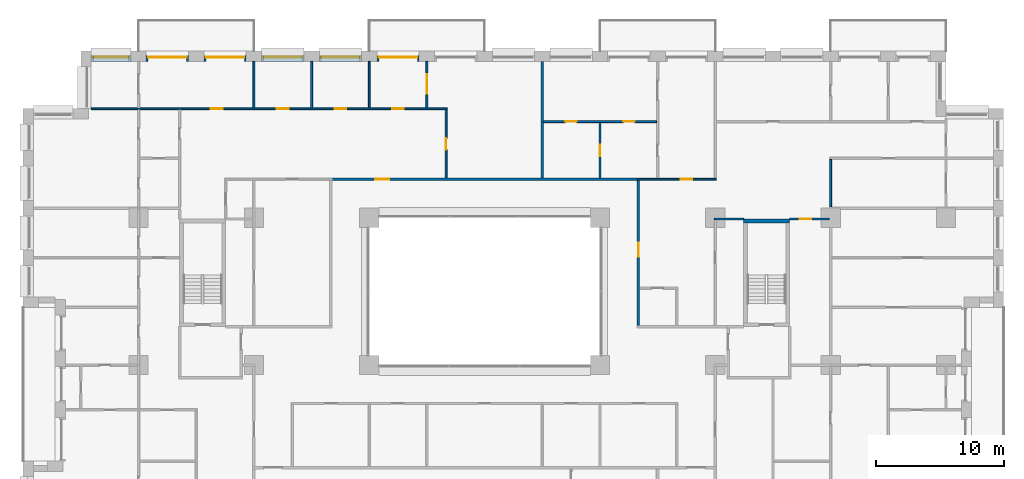
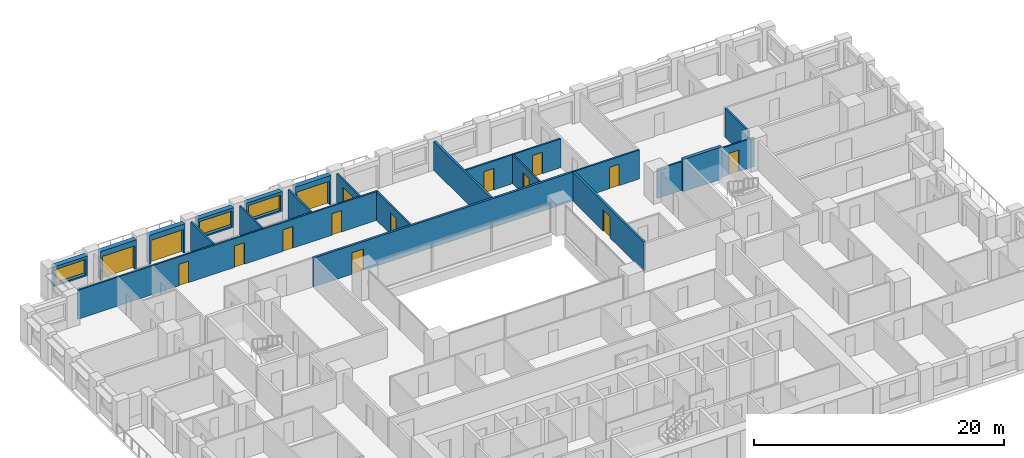
# One storey, part 15 of 20: 22 walls, 16 doors, 3 windows, 19 openings.
"""IFC4 building model written with IfcOpenShell, lengths in metres."""

from ifc_helpers import new_model, si_unit, direction, frame, frame_2d, origin, place, context, subcontext, project, spatial, rectangle, extrude, material, layer, layer_set, type_object, element, fill, save


model = new_model("IFC4")

# Units and contexts
model_context = context("Model", 3, precision=1e-05, world=origin(), true_north=direction((0.0, 1.0)))
body_context = subcontext(model_context, "Body", "Model", "MODEL_VIEW")
ifc_project = project(units=[si_unit("LENGTHUNIT", "METRE"), si_unit("AREAUNIT", "SQUARE_METRE"), si_unit("VOLUMEUNIT", "CUBIC_METRE"), si_unit("PLANEANGLEUNIT", "RADIAN"), si_unit("MASSUNIT", "GRAM", prefix="KILO")], contexts=[model_context])

# Site, building, storey
site_placement = place(None, origin())
site = spatial("IfcSite", under=ifc_project, at=site_placement, CompositionType="ELEMENT")
building_placement = place(site_placement, origin())
building = spatial("IfcBuilding", under=site, at=building_placement, Name="Brigalow Station Residences", CompositionType="ELEMENT")
storey_placement = place(building_placement, frame((0.0, 0.0, 41.550048828125)))
storey = spatial("IfcBuildingStorey", under=building, at=storey_placement, Name="L11", CompositionType="ELEMENT", Elevation=41.550048828125)

# Wall, opening, door
ifc_material_1 = material(Name="Clay brick masonry", Category="masonry")
ifc_layer_1 = layer(ifc_material_1, 0.449951171875)
ifc_layer_set_1 = layer_set([ifc_layer_1], Name="BRICK INFILL WALL 450")
wall_type_1 = type_object("IfcWallType", Name="BRICK INFILL WALL 450", PredefinedType="SOLIDWALL", material=ifc_layer_set_1)
wall_1_placement = place(storey_placement, frame((30.89990234375, 47.925048828125, 0.0), z_axis=(0.0, 0.0, 1.0), x_axis=(-1.0, 0.0, 0.0)))
wall_1 = element("IfcWall", 1, at=wall_1_placement, inside=storey, type_object=wall_type_1, Name="L11/ewall/W-L11-34", PredefinedType="SOLIDWALL", context=body_context, shape_type="SweptSolid", body=[
    extrude(rectangle(XDim=3.2998046875, YDim=0.449951171875, at=frame_2d((1.64990234375, 0.0))), origin(), (0.0, 0.0, 1.0), 2.829833984375),
])
opening_1_placement = place(wall_1_placement, frame((0.14990234375, 0.0, 0.0)))
opening_1 = element("IfcOpeningElement", 2, at=opening_1_placement, cuts=wall_1, Name="Opening D-B3000", PredefinedType="OPENING", context=body_context, shape_type="SweptSolid", body=[
    extrude(rectangle(XDim=3.0, YDim=2.300048828125, at=frame_2d((1.5, 1.14990234375))), frame((0.0, 0.23486328125, 0.0), z_axis=(0.0, -1.0, 0.0), x_axis=(1.0, 0.0, 0.0)), (0.0, 0.0, 1.0), 0.469970703125),
])
ifc_material_2 = material(Name="Anodised aluminium frame with double glazing", Category="aluminium")
door_type_1 = type_object("IfcDoorType", Name="BALCONY SLIDING DOOR 3000x2300", OperationType="SLIDING_TO_LEFT", PredefinedType="DOOR", material=ifc_material_2)
door_1_placement = place(opening_1_placement, origin())
door_1 = element("IfcDoor", 3, at=door_1_placement, inside=storey, type_object=door_type_1, Name="L11/balcony-door/W-L11-34", OperationType="SLIDING_TO_LEFT", OverallHeight=2.300048828125, OverallWidth=3.0, PredefinedType="DOOR", context=body_context, shape_type="SweptSolid", body=[
    extrude(rectangle(XDim=3.0, YDim=2.300048828125, at=frame_2d((1.5, 1.14990234375))), frame((0.0, -0.06982421875, 0.0), z_axis=(0.0, -1.0, 0.0), x_axis=(1.0, 0.0, 0.0)), (0.0, 0.0, 1.0), 0.050048828125),
])
fill(opening_1, door_1)

# Wall, opening, window
wall_2_placement = place(storey_placement, frame((26.39990234375, 47.925048828125, 0.89990234375), z_axis=(0.0, 0.0, 1.0), x_axis=(-1.0, 0.0, 0.0)))
wall_2 = element("IfcWall", 4, at=wall_2_placement, inside=storey, type_object=wall_type_1, Name="L11/ewall/W-L11-35", PredefinedType="SOLIDWALL", context=body_context, shape_type="SweptSolid", body=[
    extrude(rectangle(XDim=3.2998046875, YDim=0.449951171875, at=frame_2d((1.64990234375, 0.0))), origin(), (0.0, 0.0, 1.0), 1.929931640625),
])
opening_2_placement = place(wall_2_placement, frame((0.14990234375, 0.0, 0.14990234375)))
opening_2 = element("IfcOpeningElement", 5, at=opening_2_placement, cuts=wall_2, Name="Opening WT-2", PredefinedType="OPENING", context=body_context, shape_type="SweptSolid", body=[
    extrude(rectangle(XDim=3.0, YDim=1.5, at=frame_2d((1.5, 0.75))), frame((0.0, 0.23486328125, 0.0), z_axis=(0.0, -1.0, 0.0), x_axis=(1.0, 0.0, 0.0)), (0.0, 0.0, 1.0), 0.469970703125),
])
ifc_material_3 = material(Name="Anodised aluminium frame with double glazing", Category="aluminium")
window_type_1 = type_object("IfcWindowType", Name="WINDOW 3000x1500", PartitioningType="SINGLE_PANEL", PredefinedType="WINDOW", material=ifc_material_3)
window_1_placement = place(opening_2_placement, origin())
window_1 = element("IfcWindow", 6, at=window_1_placement, inside=storey, type_object=window_type_1, Name="L11/window/W-L11-35", OverallHeight=1.5, OverallWidth=3.0, PartitioningType="SINGLE_PANEL", PredefinedType="WINDOW", context=body_context, shape_type="SweptSolid", body=[
    extrude(rectangle(XDim=3.0, YDim=1.5, at=frame_2d((1.5, 0.75))), frame((0.0, -0.06494140625, 0.0), z_axis=(0.0, -1.0, 0.0), x_axis=(1.0, 0.0, 0.0)), (0.0, 0.0, 1.0), 0.06005859375),
])
fill(opening_2, window_1)

wall_3_placement = place(storey_placement, frame((21.89990234375, 47.925048828125, 0.89990234375), z_axis=(0.0, 0.0, 1.0), x_axis=(-1.0, 0.0, 0.0)))
wall_3 = element("IfcWall", 7, at=wall_3_placement, inside=storey, type_object=wall_type_1, Name="L11/ewall/W-L11-36", PredefinedType="SOLIDWALL", context=body_context, shape_type="SweptSolid", body=[
    extrude(rectangle(XDim=3.2998046875, YDim=0.449951171875, at=frame_2d((1.64990234375, 0.0))), origin(), (0.0, 0.0, 1.0), 1.929931640625),
])
opening_3_placement = place(wall_3_placement, frame((0.14990234375, 0.0, 0.14990234375)))
opening_3 = element("IfcOpeningElement", 8, at=opening_3_placement, cuts=wall_3, Name="Opening WT-2", PredefinedType="OPENING", context=body_context, shape_type="SweptSolid", body=[
    extrude(rectangle(XDim=3.0, YDim=1.5, at=frame_2d((1.5, 0.75))), frame((0.0, 0.23486328125, 0.0), z_axis=(0.0, -1.0, 0.0), x_axis=(1.0, 0.0, 0.0)), (0.0, 0.0, 1.0), 0.469970703125),
])
window_2_placement = place(opening_3_placement, origin())
window_2 = element("IfcWindow", 9, at=window_2_placement, inside=storey, type_object=window_type_1, Name="L11/window/W-L11-36", OverallHeight=1.5, OverallWidth=3.0, PartitioningType="SINGLE_PANEL", PredefinedType="WINDOW", context=body_context, shape_type="SweptSolid", body=[
    extrude(rectangle(XDim=3.0, YDim=1.5, at=frame_2d((1.5, 0.75))), frame((0.0, -0.06494140625, 0.0), z_axis=(0.0, -1.0, 0.0), x_axis=(1.0, 0.0, 0.0)), (0.0, 0.0, 1.0), 0.06005859375),
])
fill(opening_3, window_2)

# Wall, opening, door
wall_4_placement = place(storey_placement, frame((17.39990234375, 47.925048828125, 0.0), z_axis=(0.0, 0.0, 1.0), x_axis=(-1.0, 0.0, 0.0)))
wall_4 = element("IfcWall", 10, at=wall_4_placement, inside=storey, type_object=wall_type_1, Name="L11/ewall/W-L11-37", PredefinedType="SOLIDWALL", context=body_context, shape_type="SweptSolid", body=[
    extrude(rectangle(XDim=3.2998046875, YDim=0.449951171875, at=frame_2d((1.64990234375, 0.0))), origin(), (0.0, 0.0, 1.0), 2.829833984375),
])
opening_4_placement = place(wall_4_placement, frame((0.14990234375, 0.0, 0.0)))
opening_4 = element("IfcOpeningElement", 11, at=opening_4_placement, cuts=wall_4, Name="Opening D-B3000", PredefinedType="OPENING", context=body_context, shape_type="SweptSolid", body=[
    extrude(rectangle(XDim=3.0, YDim=2.300048828125, at=frame_2d((1.5, 1.14990234375))), frame((0.0, 0.23486328125, 0.0), z_axis=(0.0, -1.0, 0.0), x_axis=(1.0, 0.0, 0.0)), (0.0, 0.0, 1.0), 0.469970703125),
])
door_2_placement = place(opening_4_placement, origin())
door_2 = element("IfcDoor", 12, at=door_2_placement, inside=storey, type_object=door_type_1, Name="L11/balcony-door/W-L11-37", OperationType="SLIDING_TO_LEFT", OverallHeight=2.300048828125, OverallWidth=3.0, PredefinedType="DOOR", context=body_context, shape_type="SweptSolid", body=[
    extrude(rectangle(XDim=3.0, YDim=2.300048828125, at=frame_2d((1.5, 1.14990234375))), frame((0.0, -0.06982421875, 0.0), z_axis=(0.0, -1.0, 0.0), x_axis=(1.0, 0.0, 0.0)), (0.0, 0.0, 1.0), 0.050048828125),
])
fill(opening_4, door_2)

wall_5_placement = place(storey_placement, frame((12.89990234375, 47.925048828125, 0.0), z_axis=(0.0, 0.0, 1.0), x_axis=(-1.0, 0.0, 0.0)))
wall_5 = element("IfcWall", 13, at=wall_5_placement, inside=storey, type_object=wall_type_1, Name="L11/ewall/W-L11-38", PredefinedType="SOLIDWALL", context=body_context, shape_type="SweptSolid", body=[
    extrude(rectangle(XDim=3.2998046875, YDim=0.449951171875, at=frame_2d((1.64990234375, 0.0))), origin(), (0.0, 0.0, 1.0), 2.829833984375),
])
opening_5_placement = place(wall_5_placement, frame((0.14990234375, 0.0, 0.0)))
opening_5 = element("IfcOpeningElement", 14, at=opening_5_placement, cuts=wall_5, Name="Opening D-B3000", PredefinedType="OPENING", context=body_context, shape_type="SweptSolid", body=[
    extrude(rectangle(XDim=3.0, YDim=2.300048828125, at=frame_2d((1.5, 1.14990234375))), frame((0.0, 0.23486328125, 0.0), z_axis=(0.0, -1.0, 0.0), x_axis=(1.0, 0.0, 0.0)), (0.0, 0.0, 1.0), 0.469970703125),
])
door_3_placement = place(opening_5_placement, origin())
door_3 = element("IfcDoor", 15, at=door_3_placement, inside=storey, type_object=door_type_1, Name="L11/balcony-door/W-L11-38", OperationType="SLIDING_TO_LEFT", OverallHeight=2.300048828125, OverallWidth=3.0, PredefinedType="DOOR", context=body_context, shape_type="SweptSolid", body=[
    extrude(rectangle(XDim=3.0, YDim=2.300048828125, at=frame_2d((1.5, 1.14990234375))), frame((0.0, -0.06982421875, 0.0), z_axis=(0.0, -1.0, 0.0), x_axis=(1.0, 0.0, 0.0)), (0.0, 0.0, 1.0), 0.050048828125),
])
fill(opening_5, door_3)

# Wall, opening, window
wall_6_placement = place(storey_placement, frame((8.39990234375, 47.925048828125, 0.89990234375), z_axis=(0.0, 0.0, 1.0), x_axis=(-1.0, 0.0, 0.0)))
wall_6 = element("IfcWall", 16, at=wall_6_placement, inside=storey, type_object=wall_type_1, Name="L11/ewall/W-L11-39", PredefinedType="SOLIDWALL", context=body_context, shape_type="SweptSolid", body=[
    extrude(rectangle(XDim=3.099853515625, YDim=0.449951171875, at=frame_2d((1.5498046875, 0.0))), origin(), (0.0, 0.0, 1.0), 1.929931640625),
])
opening_6_placement = place(wall_6_placement, frame((0.175048828125, 0.0, 0.14990234375)))
opening_6 = element("IfcOpeningElement", 17, at=opening_6_placement, cuts=wall_6, Name="Opening WT-3", PredefinedType="OPENING", context=body_context, shape_type="SweptSolid", body=[
    extrude(rectangle(XDim=2.75, YDim=1.5, at=frame_2d((1.375, 0.75))), frame((0.0, 0.23486328125, 0.0), z_axis=(0.0, -1.0, 0.0), x_axis=(1.0, 0.0, 0.0)), (0.0, 0.0, 1.0), 0.469970703125),
])
ifc_material_4 = material(Name="Anodised aluminium frame with double glazing", Category="aluminium")
window_type_2 = type_object("IfcWindowType", Name="WINDOW 2750x1500", PartitioningType="SINGLE_PANEL", PredefinedType="WINDOW", material=ifc_material_4)
window_3_placement = place(opening_6_placement, origin())
window_3 = element("IfcWindow", 18, at=window_3_placement, inside=storey, type_object=window_type_2, Name="L11/window/W-L11-39", OverallHeight=1.5, OverallWidth=2.75, PartitioningType="SINGLE_PANEL", PredefinedType="WINDOW", context=body_context, shape_type="SweptSolid", body=[
    extrude(rectangle(XDim=2.75, YDim=1.5, at=frame_2d((1.375, 0.75))), frame((0.0, -0.06494140625, 0.0), z_axis=(0.0, -1.0, 0.0), x_axis=(1.0, 0.0, 0.0)), (0.0, 0.0, 1.0), 0.06005859375),
])
fill(opening_6, window_3)

# Wall
ifc_material_5 = material(Name="Concrete C80", Category="concrete")
ifc_layer_2 = layer(ifc_material_5, 0.300048828125)
ifc_layer_set_2 = layer_set([ifc_layer_2], Name="CORE SHEAR WALL 300 C80")
wall_type_2 = type_object("IfcWallType", Name="CORE SHEAR WALL 300 C80", PredefinedType="SHEAR", material=ifc_layer_set_2)
wall_7_placement = place(storey_placement, frame((56.199951171875, 35.25, 0.0), z_axis=(0.0, 0.0, 1.0), x_axis=(1.0, 0.0, 0.0)))
element("IfcWall", 19, at=wall_7_placement, inside=storey, type_object=wall_type_2, Name="CORE WALL ST-S3-N L11", PredefinedType="SHEAR", context=body_context, shape_type="SweptSolid", body=[
    extrude(rectangle(XDim=3.60009765625, YDim=0.300048828125, at=frame_2d((1.800048828125, 0.0))), origin(), (0.0, 0.0, 1.0), 3.14990234375),
])

# Wall, opening, door
ifc_material_6 = material(Name="Plasterboard on steel stud partition", Category="steel")
ifc_layer_3 = layer(ifc_material_6, 0.14990234375)
ifc_layer_set_3 = layer_set([ifc_layer_3], Name="FLAT PARTITION 150")
wall_type_3 = type_object("IfcWallType", Name="FLAT PARTITION 150", PredefinedType="PARTITIONING", material=ifc_layer_set_3)
wall_8_placement = place(storey_placement, frame((47.89990234375, 38.5, 0.0), z_axis=(0.0, 0.0, 1.0), x_axis=(1.0, 0.0, 0.0)))
wall_8 = element("IfcWall", 20, at=wall_8_placement, inside=storey, type_object=wall_type_3, Name="PW-1C10", PredefinedType="PARTITIONING", context=body_context, shape_type="SweptSolid", body=[
    extrude(rectangle(XDim=6.175048828125, YDim=0.14990234375, at=frame_2d((3.08740234375, 0.0))), origin(), (0.0, 0.0, 1.0), 2.829833984375),
])
opening_7_placement = place(wall_8_placement, frame((3.39990234375, 0.0, 0.0)))
opening_7 = element("IfcOpeningElement", 21, at=opening_7_placement, cuts=wall_8, Name="Opening D-1C39", PredefinedType="OPENING", context=body_context, shape_type="SweptSolid", body=[
    extrude(rectangle(XDim=0.89990234375, YDim=2.10009765625, at=frame_2d((0.449951171875, 1.050048828125))), frame((0.0, 0.0849609375, 0.0), z_axis=(0.0, -1.0, 0.0), x_axis=(1.0, 0.0, 0.0)), (0.0, 0.0, 1.0), 0.169921875),
])
ifc_material_7 = material(Name="Solid-core timber door leaf", Category="wood")
door_type_2 = type_object("IfcDoorType", Name="INTERNAL DOOR 900 x 2100", OperationType="SINGLE_SWING_LEFT", PredefinedType="DOOR", material=ifc_material_7)
door_4_placement = place(opening_7_placement, origin())
door_4 = element("IfcDoor", 22, at=door_4_placement, inside=storey, type_object=door_type_2, Name="D-1C39", OperationType="SINGLE_SWING_RIGHT", OverallHeight=2.10009765625, OverallWidth=0.89990234375, PredefinedType="DOOR", context=body_context, shape_type="SweptSolid", body=[
    extrude(rectangle(XDim=0.89990234375, YDim=2.10009765625, at=frame_2d((0.449951171875, 1.050048828125))), frame((0.0, 0.02490234375, 0.0), z_axis=(0.0, -1.0, 0.0), x_axis=(1.0, 0.0, 0.0)), (0.0, 0.0, 1.0), 0.050048828125),
])
fill(opening_7, door_4)

# Wall, openings, doors
wall_9_placement = place(storey_placement, frame((5.300048828125, 44.0, 0.0), z_axis=(0.0, 0.0, 1.0), x_axis=(1.0, 0.0, 0.0)))
wall_9 = element("IfcWall", 23, at=wall_9_placement, inside=storey, type_object=wall_type_3, Name="PW-1C27", PredefinedType="PARTITIONING", context=body_context, shape_type="SweptSolid", body=[
    extrude(rectangle(XDim=27.77490234375, YDim=0.14990234375, at=frame_2d((13.887451171875, 0.0))), origin(), (0.0, 0.0, 1.0), 2.829833984375),
])
opening_8_placement = place(wall_9_placement, frame((14.5, 0.0, 0.0)))
opening_8 = element("IfcOpeningElement", 24, at=opening_8_placement, cuts=wall_9, Name="Opening D-1C18", PredefinedType="OPENING", context=body_context, shape_type="SweptSolid", body=[
    extrude(rectangle(XDim=0.89990234375, YDim=2.10009765625, at=frame_2d((0.449951171875, 1.050048828125))), frame((0.0, 0.0849609375, 0.0), z_axis=(0.0, -1.0, 0.0), x_axis=(1.0, 0.0, 0.0)), (0.0, 0.0, 1.0), 0.169921875),
])
opening_9_placement = place(wall_9_placement, frame((19.0, 0.0, 0.0)))
opening_9 = element("IfcOpeningElement", 25, at=opening_9_placement, cuts=wall_9, Name="Opening D-1C19", PredefinedType="OPENING", context=body_context, shape_type="SweptSolid", body=[
    extrude(rectangle(XDim=0.89990234375, YDim=2.10009765625, at=frame_2d((0.449951171875, 1.050048828125))), frame((0.0, 0.0849609375, 0.0), z_axis=(0.0, -1.0, 0.0), x_axis=(1.0, 0.0, 0.0)), (0.0, 0.0, 1.0), 0.169921875),
])
opening_10_placement = place(wall_9_placement, frame((9.35009765625, 0.0, 0.0)))
opening_10 = element("IfcOpeningElement", 26, at=opening_10_placement, cuts=wall_9, Name="Opening D-1C20", PredefinedType="OPENING", context=body_context, shape_type="SweptSolid", body=[
    extrude(rectangle(XDim=0.89990234375, YDim=2.10009765625, at=frame_2d((0.449951171875, 1.050048828125))), frame((0.0, 0.0849609375, 0.0), z_axis=(0.0, -1.0, 0.0), x_axis=(1.0, 0.0, 0.0)), (0.0, 0.0, 1.0), 0.169921875),
])
opening_11_placement = place(wall_9_placement, frame((23.5, 0.0, 0.0)))
opening_11 = element("IfcOpeningElement", 27, at=opening_11_placement, cuts=wall_9, Name="Opening D-1C29", PredefinedType="OPENING", context=body_context, shape_type="SweptSolid", body=[
    extrude(rectangle(XDim=0.89990234375, YDim=2.10009765625, at=frame_2d((0.449951171875, 1.050048828125))), frame((0.0, 0.0849609375, 0.0), z_axis=(0.0, -1.0, 0.0), x_axis=(1.0, 0.0, 0.0)), (0.0, 0.0, 1.0), 0.169921875),
])
door_5_placement = place(opening_8_placement, origin())
door_5 = element("IfcDoor", 28, at=door_5_placement, inside=storey, type_object=door_type_2, Name="D-1C18", OperationType="SINGLE_SWING_LEFT", OverallHeight=2.10009765625, OverallWidth=0.89990234375, PredefinedType="DOOR", context=body_context, shape_type="SweptSolid", body=[
    extrude(rectangle(XDim=0.89990234375, YDim=2.10009765625, at=frame_2d((0.449951171875, 1.050048828125))), frame((0.0, 0.02490234375, 0.0), z_axis=(0.0, -1.0, 0.0), x_axis=(1.0, 0.0, 0.0)), (0.0, 0.0, 1.0), 0.050048828125),
])
fill(opening_8, door_5)
door_6_placement = place(opening_9_placement, origin())
door_6 = element("IfcDoor", 29, at=door_6_placement, inside=storey, type_object=door_type_2, Name="D-1C19", OperationType="SINGLE_SWING_RIGHT", OverallHeight=2.10009765625, OverallWidth=0.89990234375, PredefinedType="DOOR", context=body_context, shape_type="SweptSolid", body=[
    extrude(rectangle(XDim=0.89990234375, YDim=2.10009765625, at=frame_2d((0.449951171875, 1.050048828125))), frame((0.0, 0.02490234375, 0.0), z_axis=(0.0, -1.0, 0.0), x_axis=(1.0, 0.0, 0.0)), (0.0, 0.0, 1.0), 0.050048828125),
])
fill(opening_9, door_6)
door_7_placement = place(opening_10_placement, origin())
door_7 = element("IfcDoor", 30, at=door_7_placement, inside=storey, type_object=door_type_2, Name="D-1C20", OperationType="SINGLE_SWING_RIGHT", OverallHeight=2.10009765625, OverallWidth=0.89990234375, PredefinedType="DOOR", context=body_context, shape_type="SweptSolid", body=[
    extrude(rectangle(XDim=0.89990234375, YDim=2.10009765625, at=frame_2d((0.449951171875, 1.050048828125))), frame((0.0, 0.02490234375, 0.0), z_axis=(0.0, -1.0, 0.0), x_axis=(1.0, 0.0, 0.0)), (0.0, 0.0, 1.0), 0.050048828125),
])
fill(opening_10, door_7)
door_8_placement = place(opening_11_placement, origin())
door_8 = element("IfcDoor", 31, at=door_8_placement, inside=storey, type_object=door_type_2, Name="D-1C29", OperationType="SINGLE_SWING_RIGHT", OverallHeight=2.10009765625, OverallWidth=0.89990234375, PredefinedType="DOOR", context=body_context, shape_type="SweptSolid", body=[
    extrude(rectangle(XDim=0.89990234375, YDim=2.10009765625, at=frame_2d((0.449951171875, 1.050048828125))), frame((0.0, 0.02490234375, 0.0), z_axis=(0.0, -1.0, 0.0), x_axis=(1.0, 0.0, 0.0)), (0.0, 0.0, 1.0), 0.050048828125),
])
fill(opening_11, door_8)

# Wall
wall_10_placement = place(storey_placement, frame((53.925048828125, 35.39990234375, 0.0), z_axis=(0.0, 0.0, 1.0), x_axis=(1.0, 0.0, 0.0)))
element("IfcWall", 32, at=wall_10_placement, inside=storey, type_object=wall_type_3, Name="PW-1C30", PredefinedType="PARTITIONING", context=body_context, shape_type="SweptSolid", body=[
    extrude(rectangle(XDim=2.27490234375, YDim=0.14990234375, at=frame_2d((1.137451171875, 0.0))), origin(), (0.0, 0.0, 1.0), 2.829833984375),
])

# Wall, opening, door
wall_11_placement = place(storey_placement, frame((59.800048828125, 35.39990234375, 0.0), z_axis=(0.0, 0.0, 1.0), x_axis=(1.0, 0.0, 0.0)))
wall_11 = element("IfcWall", 33, at=wall_11_placement, inside=storey, type_object=wall_type_3, Name="PW-1C31", PredefinedType="PARTITIONING", context=body_context, shape_type="SweptSolid", body=[
    extrude(rectangle(XDim=3.099853515625, YDim=0.14990234375, at=frame_2d((1.5498046875, 0.0))), origin(), (0.0, 0.0, 1.0), 2.829833984375),
])
opening_12_placement = place(wall_11_placement, frame((0.77490234375, 0.0, 0.0)))
opening_12 = element("IfcOpeningElement", 34, at=opening_12_placement, cuts=wall_11, Name="Opening D-1C44", PredefinedType="OPENING", context=body_context, shape_type="SweptSolid", body=[
    extrude(rectangle(XDim=0.89990234375, YDim=2.10009765625, at=frame_2d((0.449951171875, 1.050048828125))), frame((0.0, 0.0849609375, 0.0), z_axis=(0.0, -1.0, 0.0), x_axis=(1.0, 0.0, 0.0)), (0.0, 0.0, 1.0), 0.169921875),
])
door_9_placement = place(opening_12_placement, frame((0.89990234375, 0.0, 0.0), z_axis=(0.0, 0.0, 1.0), x_axis=(-1.0, 0.0, 0.0)))
door_9 = element("IfcDoor", 35, at=door_9_placement, inside=storey, type_object=door_type_2, Name="D-1C44", OperationType="SINGLE_SWING_RIGHT", OverallHeight=2.10009765625, OverallWidth=0.89990234375, PredefinedType="DOOR", context=body_context, shape_type="SweptSolid", body=[
    extrude(rectangle(XDim=0.89990234375, YDim=2.10009765625, at=frame_2d((0.449951171875, 1.050048828125))), frame((0.0, 0.02490234375, 0.0), z_axis=(0.0, -1.0, 0.0), x_axis=(1.0, 0.0, 0.0)), (0.0, 0.0, 1.0), 0.050048828125),
])
fill(opening_12, door_9)

# Wall, openings, doors
wall_12_placement = place(storey_placement, frame((40.60009765625, 43.0, 0.0), z_axis=(0.0, 0.0, 1.0), x_axis=(1.0, 0.0, 0.0)))
wall_12 = element("IfcWall", 36, at=wall_12_placement, inside=storey, type_object=wall_type_3, Name="PW-1C35", PredefinedType="PARTITIONING", context=body_context, shape_type="SweptSolid", body=[
    extrude(rectangle(XDim=8.824951171875, YDim=0.14990234375, at=frame_2d((4.41259765625, 0.0))), origin(), (0.0, 0.0, 1.0), 2.829833984375),
])
opening_13_placement = place(wall_12_placement, frame((1.699951171875, 0.0, 0.0)))
opening_13 = element("IfcOpeningElement", 37, at=opening_13_placement, cuts=wall_12, Name="Opening D-1C35", PredefinedType="OPENING", context=body_context, shape_type="SweptSolid", body=[
    extrude(rectangle(XDim=0.89990234375, YDim=2.10009765625, at=frame_2d((0.449951171875, 1.050048828125))), frame((0.0, 0.0849609375, 0.0), z_axis=(0.0, -1.0, 0.0), x_axis=(1.0, 0.0, 0.0)), (0.0, 0.0, 1.0), 0.169921875),
])
opening_14_placement = place(wall_12_placement, frame((6.199951171875, 0.0, 0.0)))
opening_14 = element("IfcOpeningElement", 38, at=opening_14_placement, cuts=wall_12, Name="Opening D-1C37", PredefinedType="OPENING", context=body_context, shape_type="SweptSolid", body=[
    extrude(rectangle(XDim=0.89990234375, YDim=2.10009765625, at=frame_2d((0.449951171875, 1.050048828125))), frame((0.0, 0.0849609375, 0.0), z_axis=(0.0, -1.0, 0.0), x_axis=(1.0, 0.0, 0.0)), (0.0, 0.0, 1.0), 0.169921875),
])
door_10_placement = place(opening_13_placement, frame((0.89990234375, 0.0, 0.0), z_axis=(0.0, 0.0, 1.0), x_axis=(-1.0, 0.0, 0.0)))
door_10 = element("IfcDoor", 39, at=door_10_placement, inside=storey, type_object=door_type_2, Name="D-1C35", OperationType="SINGLE_SWING_RIGHT", OverallHeight=2.10009765625, OverallWidth=0.89990234375, PredefinedType="DOOR", context=body_context, shape_type="SweptSolid", body=[
    extrude(rectangle(XDim=0.89990234375, YDim=2.10009765625, at=frame_2d((0.449951171875, 1.050048828125))), frame((0.0, 0.02490234375, 0.0), z_axis=(0.0, -1.0, 0.0), x_axis=(1.0, 0.0, 0.0)), (0.0, 0.0, 1.0), 0.050048828125),
])
fill(opening_13, door_10)
door_11_placement = place(opening_14_placement, frame((0.89990234375, 0.0, 0.0), z_axis=(0.0, 0.0, 1.0), x_axis=(-1.0, 0.0, 0.0)))
door_11 = element("IfcDoor", 40, at=door_11_placement, inside=storey, type_object=door_type_2, Name="D-1C37", OperationType="SINGLE_SWING_RIGHT", OverallHeight=2.10009765625, OverallWidth=0.89990234375, PredefinedType="DOOR", context=body_context, shape_type="SweptSolid", body=[
    extrude(rectangle(XDim=0.89990234375, YDim=2.10009765625, at=frame_2d((0.449951171875, 1.050048828125))), frame((0.0, 0.02490234375, 0.0), z_axis=(0.0, -1.0, 0.0), x_axis=(1.0, 0.0, 0.0)), (0.0, 0.0, 1.0), 0.050048828125),
])
fill(opening_14, door_11)

# Wall
wall_13_placement = place(storey_placement, frame((18.0, 44.074951171875, 0.0), z_axis=(0.0, 0.0, 1.0), x_axis=(0.0, 1.0, 0.0)))
element("IfcWall", 41, at=wall_13_placement, inside=storey, type_object=wall_type_3, Name="PW-1C39", PredefinedType="PARTITIONING", context=body_context, shape_type="SweptSolid", body=[
    extrude(rectangle(XDim=3.625, YDim=0.14990234375, at=frame_2d((1.8125, 0.0))), origin(), (0.0, 0.0, 1.0), 2.829833984375),
])

# Wall, opening, door
wall_14_placement = place(storey_placement, frame((33.0, 38.60009765625, 0.0), z_axis=(0.0, 0.0, 1.0), x_axis=(0.0, 1.0, 0.0)))
wall_14 = element("IfcWall", 42, at=wall_14_placement, inside=storey, type_object=wall_type_3, Name="PW-1C60", PredefinedType="PARTITIONING", context=body_context, shape_type="SweptSolid", body=[
    extrude(rectangle(XDim=5.324951171875, YDim=0.14990234375, at=frame_2d((2.66259765625, 0.0))), origin(), (0.0, 0.0, 1.0), 2.829833984375),
])
opening_15_placement = place(wall_14_placement, frame((2.199951171875, 0.0, 0.0)))
opening_15 = element("IfcOpeningElement", 43, at=opening_15_placement, cuts=wall_14, Name="Opening D-1C26", PredefinedType="OPENING", context=body_context, shape_type="SweptSolid", body=[
    extrude(rectangle(XDim=0.89990234375, YDim=2.10009765625, at=frame_2d((0.449951171875, 1.050048828125))), frame((0.0, 0.0849609375, 0.0), z_axis=(0.0, -1.0, 0.0), x_axis=(1.0, 0.0, 0.0)), (0.0, 0.0, 1.0), 0.169921875),
])
door_12_placement = place(opening_15_placement, frame((0.89990234375, 0.0, 0.0), z_axis=(0.0, 0.0, 1.0), x_axis=(-1.0, 0.0, 0.0)))
door_12 = element("IfcDoor", 44, at=door_12_placement, inside=storey, type_object=door_type_2, Name="D-1C26", OperationType="SINGLE_SWING_RIGHT", OverallHeight=2.10009765625, OverallWidth=0.89990234375, PredefinedType="DOOR", context=body_context, shape_type="SweptSolid", body=[
    extrude(rectangle(XDim=0.89990234375, YDim=2.10009765625, at=frame_2d((0.449951171875, 1.050048828125))), frame((0.0, 0.02490234375, 0.0), z_axis=(0.0, -1.0, 0.0), x_axis=(1.0, 0.0, 0.0)), (0.0, 0.0, 1.0), 0.050048828125),
])
fill(opening_15, door_12)

# Walls
for number, where, z_axis, x_axis, name in (
    (45, (22.5, 44.074951171875, 0.0), (0.0, 0.0, 1.0), (0.0, 1.0, 0.0), "PW-1C62"),
    (46, (27.0, 44.074951171875, 0.0), (0.0, 0.0, 1.0), (0.0, 1.0, 0.0), "PW-1C64"),
):
    element("IfcWall", number, at=place(storey_placement, frame(where, z_axis=z_axis, x_axis=x_axis)), inside=storey, type_object=wall_type_3, Name=name, PredefinedType="PARTITIONING", context=body_context, shape_type="SweptSolid", body=[
        extrude(rectangle(XDim=3.625, YDim=0.14990234375, at=frame_2d((1.8125, 0.0))), origin(), (0.0, 0.0, 1.0), 2.829833984375),
    ])

# Wall, opening, door
wall_15_placement = place(storey_placement, frame((31.5, 44.074951171875, 0.0), z_axis=(0.0, 0.0, 1.0), x_axis=(0.0, 1.0, 0.0)))
wall_15 = element("IfcWall", 47, at=wall_15_placement, inside=storey, type_object=wall_type_3, Name="PW-1C66", PredefinedType="PARTITIONING", context=body_context, shape_type="SweptSolid", body=[
    extrude(rectangle(XDim=3.625, YDim=0.14990234375, at=frame_2d((1.8125, 0.0))), origin(), (0.0, 0.0, 1.0), 2.829833984375),
])
opening_16_placement = place(wall_15_placement, frame((1.10009765625, 0.0, 0.0)))
opening_16 = element("IfcOpeningElement", 48, at=opening_16_placement, cuts=wall_15, Name="Opening D-1C27", PredefinedType="OPENING", context=body_context, shape_type="SweptSolid", body=[
    extrude(rectangle(XDim=1.5, YDim=2.10009765625, at=frame_2d((0.75, 1.050048828125))), frame((0.0, 0.0849609375, 0.0), z_axis=(0.0, -1.0, 0.0), x_axis=(1.0, 0.0, 0.0)), (0.0, 0.0, 1.0), 0.169921875),
])
ifc_material_8 = material(Name="Solid-core timber door leaf", Category="wood")
door_type_3 = type_object("IfcDoorType", Name="INTERNAL DOUBLE DOOR 1500 x 2100", OperationType="DOUBLE_DOOR_SINGLE_SWING", PredefinedType="DOOR", material=ifc_material_8)
door_13_placement = place(opening_16_placement, origin())
door_13 = element("IfcDoor", 49, at=door_13_placement, inside=storey, type_object=door_type_3, Name="D-1C27", OperationType="DOUBLE_DOOR_SINGLE_SWING", OverallHeight=2.10009765625, OverallWidth=1.5, PredefinedType="DOOR", context=body_context, shape_type="SweptSolid", body=[
    extrude(rectangle(XDim=1.5, YDim=2.10009765625, at=frame_2d((0.75, 1.050048828125))), frame((0.0, 0.02490234375, 0.0), z_axis=(0.0, -1.0, 0.0), x_axis=(1.0, 0.0, 0.0)), (0.0, 0.0, 1.0), 0.050048828125),
])
fill(opening_16, door_13)

# Wall
wall_16_placement = place(storey_placement, frame((63.0, 36.35009765625, 0.0), z_axis=(0.0, 0.0, 1.0), x_axis=(0.0, 1.0, 0.0)))
element("IfcWall", 50, at=wall_16_placement, inside=storey, type_object=wall_type_3, Name="PW-1C71", PredefinedType="PARTITIONING", context=body_context, shape_type="SweptSolid", body=[
    extrude(rectangle(XDim=3.699951171875, YDim=0.14990234375, at=frame_2d((1.85009765625, 0.0))), origin(), (0.0, 0.0, 1.0), 2.829833984375),
])

# Wall, opening, door
wall_17_placement = place(storey_placement, frame((45.0, 38.60009765625, 0.0), z_axis=(0.0, 0.0, 1.0), x_axis=(0.0, 1.0, 0.0)))
wall_17 = element("IfcWall", 51, at=wall_17_placement, inside=storey, type_object=wall_type_3, Name="PW-1C82", PredefinedType="PARTITIONING", context=body_context, shape_type="SweptSolid", body=[
    extrude(rectangle(XDim=4.324951171875, YDim=0.14990234375, at=frame_2d((2.16259765625, 0.0))), origin(), (0.0, 0.0, 1.0), 2.829833984375),
])
opening_17_placement = place(wall_17_placement, frame((1.699951171875, 0.0, 0.0)))
opening_17 = element("IfcOpeningElement", 52, at=opening_17_placement, cuts=wall_17, Name="Opening D-1C46", PredefinedType="OPENING", context=body_context, shape_type="SweptSolid", body=[
    extrude(rectangle(XDim=0.89990234375, YDim=2.10009765625, at=frame_2d((0.449951171875, 1.050048828125))), frame((0.0, 0.0849609375, 0.0), z_axis=(0.0, -1.0, 0.0), x_axis=(1.0, 0.0, 0.0)), (0.0, 0.0, 1.0), 0.169921875),
])
door_14_placement = place(opening_17_placement, frame((0.89990234375, 0.0, 0.0), z_axis=(0.0, 0.0, 1.0), x_axis=(-1.0, 0.0, 0.0)))
door_14 = element("IfcDoor", 53, at=door_14_placement, inside=storey, type_object=door_type_2, Name="D-1C46", OperationType="SINGLE_SWING_RIGHT", OverallHeight=2.10009765625, OverallWidth=0.89990234375, PredefinedType="DOOR", context=body_context, shape_type="SweptSolid", body=[
    extrude(rectangle(XDim=0.89990234375, YDim=2.10009765625, at=frame_2d((0.449951171875, 1.050048828125))), frame((0.0, 0.02490234375, 0.0), z_axis=(0.0, -1.0, 0.0), x_axis=(1.0, 0.0, 0.0)), (0.0, 0.0, 1.0), 0.050048828125),
])
fill(opening_17, door_14)

ifc_material_9 = material(Name="Plasterboard on steel stud partition", Category="steel")
ifc_layer_4 = layer(ifc_material_9, 0.199951171875)
ifc_layer_set_4 = layer_set([ifc_layer_4], Name="PARTY AND CORRIDOR WALL 200")
wall_type_4 = type_object("IfcWallType", Name="PARTY AND CORRIDOR WALL 200", PredefinedType="PARTITIONING", material=ifc_layer_set_4)
wall_18_placement = place(storey_placement, frame((23.89990234375, 38.5, 0.0), z_axis=(0.0, 0.0, 1.0), x_axis=(1.0, 0.0, 0.0)))
wall_18 = element("IfcWall", 54, at=wall_18_placement, inside=storey, type_object=wall_type_4, Name="PW-1C11", PredefinedType="PARTITIONING", context=body_context, shape_type="SweptSolid", body=[
    extrude(rectangle(XDim=24.2001953125, YDim=0.199951171875, at=frame_2d((12.10009765625, 0.0))), origin(), (0.0, 0.0, 1.0), 2.829833984375),
])
opening_18_placement = place(wall_18_placement, frame((3.550048828125, 0.0, 0.0)))
opening_18 = element("IfcOpeningElement", 55, at=opening_18_placement, cuts=wall_18, Name="Opening D-1C32", PredefinedType="OPENING", context=body_context, shape_type="SweptSolid", body=[
    extrude(rectangle(XDim=1.10009765625, YDim=2.10009765625, at=frame_2d((0.550048828125, 1.050048828125))), frame((0.0, 0.10986328125, 0.0), z_axis=(0.0, -1.0, 0.0), x_axis=(1.0, 0.0, 0.0)), (0.0, 0.0, 1.0), 0.219970703125),
])
ifc_material_10 = material(Name="Solid-core timber door leaf", Category="wood")
door_type_4 = type_object("IfcDoorType", Name="FLAT ENTRANCE DOOR 1100 x 2100 FRL -/60/30", OperationType="SINGLE_SWING_LEFT", PredefinedType="DOOR", material=ifc_material_10)
door_15_placement = place(opening_18_placement, origin())
door_15 = element("IfcDoor", 56, at=door_15_placement, inside=storey, type_object=door_type_4, Name="D-1C32", OperationType="SINGLE_SWING_RIGHT", OverallHeight=2.10009765625, OverallWidth=1.10009765625, PredefinedType="DOOR", context=body_context, shape_type="SweptSolid", body=[
    extrude(rectangle(XDim=1.10009765625, YDim=2.10009765625, at=frame_2d((0.550048828125, 1.050048828125))), frame((0.0, 0.02490234375, 0.0), z_axis=(0.0, -1.0, 0.0), x_axis=(1.0, 0.0, 0.0)), (0.0, 0.0, 1.0), 0.050048828125),
])
fill(opening_18, door_15)

wall_19_placement = place(storey_placement, frame((48.0, 27.10009765625, 0.0), z_axis=(0.0, 0.0, 1.0), x_axis=(0.0, 1.0, 0.0)))
wall_19 = element("IfcWall", 57, at=wall_19_placement, inside=storey, type_object=wall_type_4, Name="PW-1C48", PredefinedType="PARTITIONING", context=body_context, shape_type="SweptSolid", body=[
    extrude(rectangle(XDim=11.324951171875, YDim=0.199951171875, at=frame_2d((5.66259765625, 0.0))), origin(), (0.0, 0.0, 1.0), 2.829833984375),
])
opening_19_placement = place(wall_19_placement, frame((5.35009765625, 0.0, 0.0)))
opening_19 = element("IfcOpeningElement", 58, at=opening_19_placement, cuts=wall_19, Name="Opening D-1C49", PredefinedType="OPENING", context=body_context, shape_type="SweptSolid", body=[
    extrude(rectangle(XDim=1.10009765625, YDim=2.10009765625, at=frame_2d((0.550048828125, 1.050048828125))), frame((0.0, 0.10986328125, 0.0), z_axis=(0.0, -1.0, 0.0), x_axis=(1.0, 0.0, 0.0)), (0.0, 0.0, 1.0), 0.219970703125),
])
door_16_placement = place(opening_19_placement, frame((1.10009765625, 0.0, 0.0), z_axis=(0.0, 0.0, 1.0), x_axis=(-1.0, 0.0, 0.0)))
door_16 = element("IfcDoor", 59, at=door_16_placement, inside=storey, type_object=door_type_4, Name="D-1C49", OperationType="SINGLE_SWING_RIGHT", OverallHeight=2.10009765625, OverallWidth=1.10009765625, PredefinedType="DOOR", context=body_context, shape_type="SweptSolid", body=[
    extrude(rectangle(XDim=1.10009765625, YDim=2.10009765625, at=frame_2d((0.550048828125, 1.050048828125))), frame((0.0, 0.02490234375, 0.0), z_axis=(0.0, -1.0, 0.0), x_axis=(1.0, 0.0, 0.0)), (0.0, 0.0, 1.0), 0.050048828125),
])
fill(opening_19, door_16)

# Wall
wall_20_placement = place(storey_placement, frame((40.5, 38.60009765625, 0.0), z_axis=(0.0, 0.0, 1.0), x_axis=(0.0, 1.0, 0.0)))
element("IfcWall", 60, at=wall_20_placement, inside=storey, type_object=wall_type_4, Name="PW-1C68", PredefinedType="PARTITIONING", context=body_context, shape_type="SweptSolid", body=[
    extrude(rectangle(XDim=9.099853515625, YDim=0.199951171875, at=frame_2d((4.5498046875, 0.0))), origin(), (0.0, 0.0, 1.0), 2.829833984375),
])

save(model, "model.ifc")
